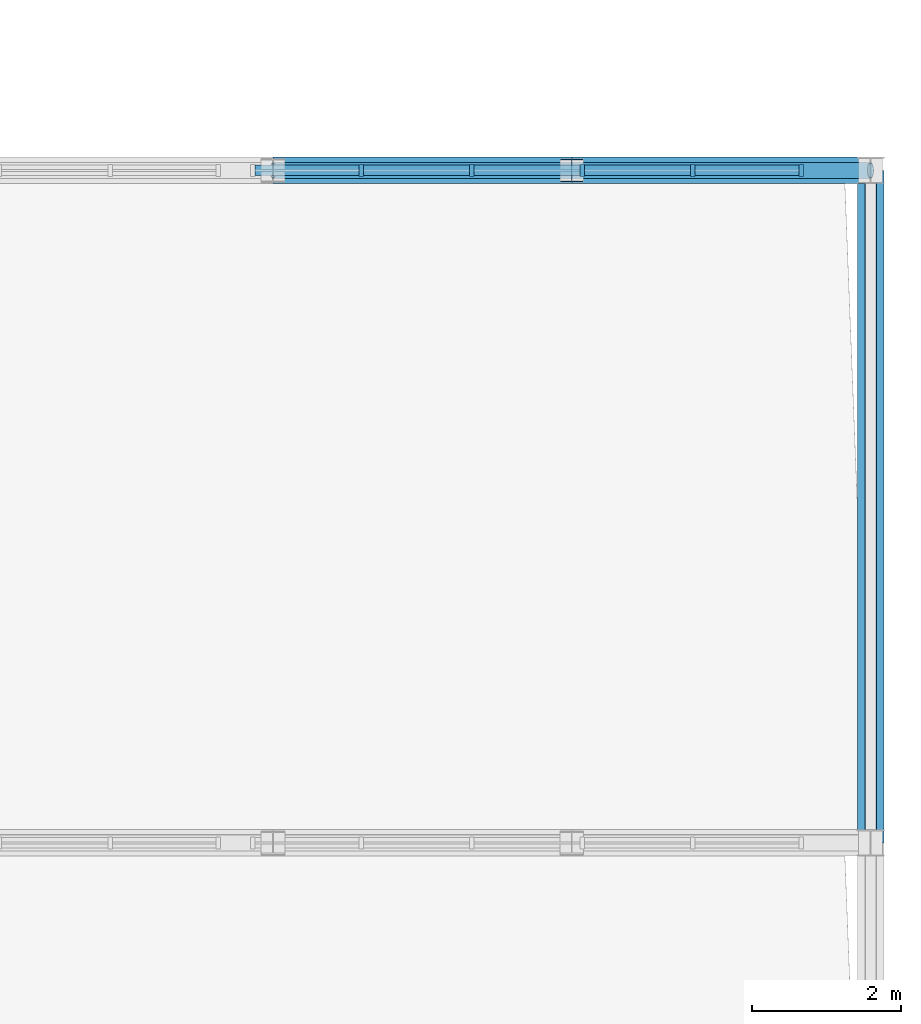
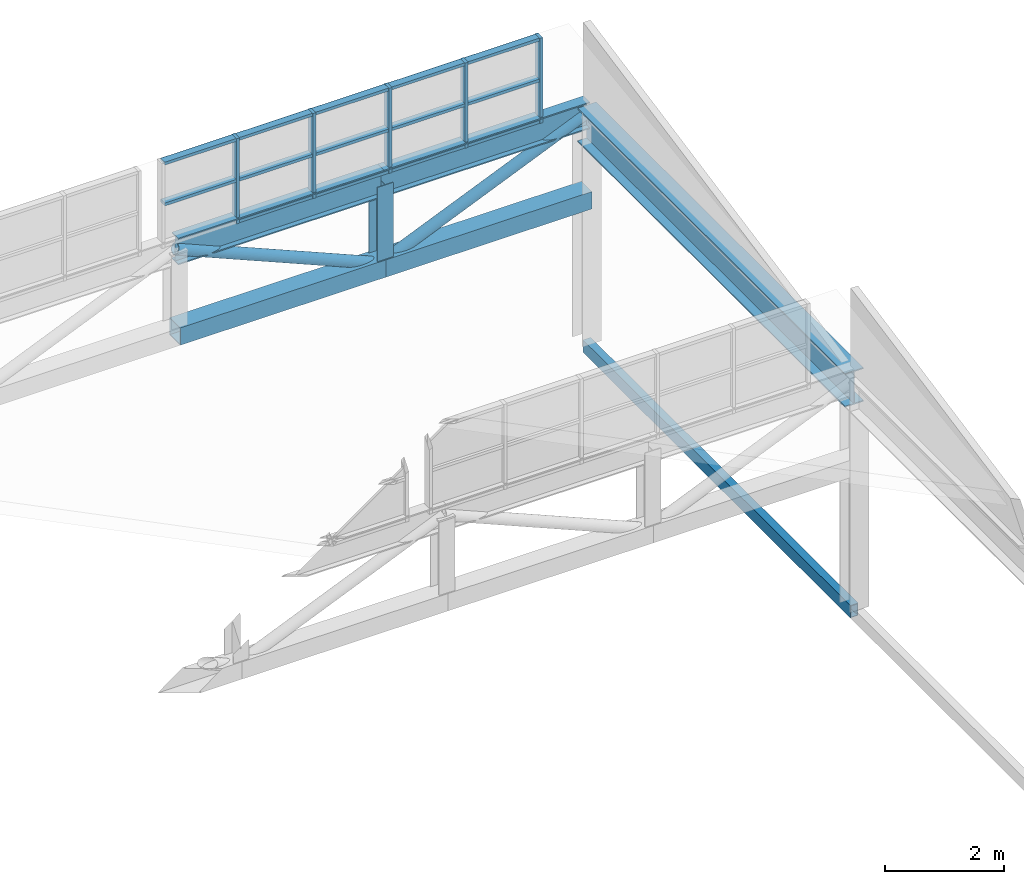
# One storey, part 93 of 159: 26 members, 2 beams, 1 element without a shape of its own.
"""IFC4 building model written with IfcOpenShell, lengths in metres."""

from ifc_helpers import new_model, si_unit, direction, frame, origin, origin_2d, place, context, subcontext, project, spatial, rectangle, hollow_rectangle, hollow_circle, i_section, extrude, material, layer, layer_set, material_profile, profile_set, type_object, element, aggregate, save


model = new_model("IFC4")

# Units and contexts
model_context = context("Model", 3, precision=1e-05, world=origin(), true_north=direction((0.0, 1.0)))
body_context = subcontext(model_context, "Body", "Model", "MODEL_VIEW")
ifc_project = project(units=[si_unit("LENGTHUNIT", "METRE"), si_unit("AREAUNIT", "SQUARE_METRE"), si_unit("VOLUMEUNIT", "CUBIC_METRE"), si_unit("PLANEANGLEUNIT", "RADIAN"), si_unit("MASSUNIT", "GRAM", prefix="KILO")], contexts=[model_context])

# Site, building, storey
site_placement = place(None, origin())
site = spatial("IfcSite", under=ifc_project, at=site_placement, CompositionType="ELEMENT")
building_placement = place(site_placement, origin())
building = spatial("IfcBuilding", under=site, at=building_placement, Name="Cazmaro Siding Exhibition Halls", CompositionType="ELEMENT")
storey_placement = place(building_placement, frame((0.0, 0.0, 6.0)))
storey = spatial("IfcBuildingStorey", under=building, at=storey_placement, Name="L01", CompositionType="ELEMENT", Elevation=6.0)

# Curtain wall, members
ifc_material_1 = material(Name="Anodized Bronze Aluminum and Solar-Control Low-E Glazing", Category="aluminium")
ifc_layer = layer(ifc_material_1, 0.159912109375)
ifc_layer_set = layer_set([ifc_layer], Name="Anodized Bronze Aluminum and Solar-Control Low-E Glazing")
curtain_wall_type = type_object("IfcCurtainWallType", Name="CWS-04", PredefinedType="USERDEFINED", material=ifc_layer_set)
curtain_wall_placement = place(storey_placement, origin())
curtain_wall = element("IfcCurtainWall", 1, at=curtain_wall_placement, inside=storey, type_object=curtain_wall_type, Name="Clerestory Curtain Wall CWS-04 CW-139", ObjectType="CLERESTORY CURTAIN WALL", PredefinedType="USERDEFINED")
ifc_material_2 = material(Name="Anodized Bronze Extruded Aluminum", Category="aluminium")
ifc_material_profile_1 = material_profile(ifc_material_2, rectangle(XDim=0.159912109375, YDim=0.06005859375, at=origin_2d()), Name="CWM-04")
ifc_profile_set_1 = profile_set([ifc_material_profile_1], Name="Anodized Bronze Extruded Aluminum")
member_type_1 = type_object("IfcMemberType", Name="CWM-04", PredefinedType="MULLION", material=ifc_profile_set_1)
member_1_placement = place(storey_placement, frame((215.070068359375, 118.0, 4.800048828125), z_axis=(0.0, 0.0, 1.0), x_axis=(0.0, -1.0, 0.0)))
member_1 = element("IfcMember", 2, at=member_1_placement, type_object=member_type_1, Name="CWS-04 mullion 1", PredefinedType="MULLION", context=body_context, shape_type="SweptSolid", body=[
    extrude(rectangle(XDim=0.159912109375, YDim=0.06005859375, at=origin_2d()), origin(), (0.0, 0.0, 1.0), 1.75),
])
member_2_placement = place(storey_placement, frame((213.6201171875, 118.0, 4.800048828125), z_axis=(0.0, 0.0, 1.0), x_axis=(0.0, -1.0, 0.0)))
member_2 = element("IfcMember", 3, at=member_2_placement, type_object=member_type_1, Name="CWS-04 mullion 2", PredefinedType="MULLION", context=body_context, shape_type="SweptSolid", body=[
    extrude(rectangle(XDim=0.159912109375, YDim=0.06005859375, at=origin_2d()), origin(), (0.0, 0.0, 1.0), 1.75),
])
member_3_placement = place(storey_placement, frame((212.139892578125, 118.0, 4.800048828125), z_axis=(0.0, 0.0, 1.0), x_axis=(0.0, -1.0, 0.0)))
member_3 = element("IfcMember", 4, at=member_3_placement, type_object=member_type_1, Name="CWS-04 mullion 3", PredefinedType="MULLION", context=body_context, shape_type="SweptSolid", body=[
    extrude(rectangle(XDim=0.159912109375, YDim=0.06005859375, at=origin_2d()), origin(), (0.0, 0.0, 1.0), 1.75),
])
member_4_placement = place(storey_placement, frame((210.659912109375, 118.0, 4.800048828125), z_axis=(0.0, 0.0, 1.0), x_axis=(0.0, -1.0, 0.0)))
member_4 = element("IfcMember", 5, at=member_4_placement, type_object=member_type_1, Name="CWS-04 mullion 4", PredefinedType="MULLION", context=body_context, shape_type="SweptSolid", body=[
    extrude(rectangle(XDim=0.159912109375, YDim=0.06005859375, at=origin_2d()), origin(), (0.0, 0.0, 1.0), 1.75),
])
member_5_placement = place(storey_placement, frame((209.179931640625, 118.0, 4.800048828125), z_axis=(0.0, 0.0, 1.0), x_axis=(0.0, -1.0, 0.0)))
member_5 = element("IfcMember", 6, at=member_5_placement, type_object=member_type_1, Name="CWS-04 mullion 5", PredefinedType="MULLION", context=body_context, shape_type="SweptSolid", body=[
    extrude(rectangle(XDim=0.159912109375, YDim=0.06005859375, at=origin_2d()), origin(), (0.0, 0.0, 1.0), 1.75),
])
ifc_material_3 = material(Name="Anodized Bronze Extruded Aluminum", Category="aluminium")
ifc_material_profile_2 = material_profile(ifc_material_3, rectangle(XDim=0.139892578125, YDim=0.06005859375, at=origin_2d()), Name="CWT-04")
ifc_profile_set_2 = profile_set([ifc_material_profile_2], Name="Anodized Bronze Extruded Aluminum")
member_type_2 = type_object("IfcMemberType", Name="CWT-04", PredefinedType="MULLION", material=ifc_profile_set_2)
member_6_placement = place(storey_placement, frame((215.0400390625, 118.0, 4.830078125), z_axis=(-1.0, 0.0, 0.0), x_axis=(0.0, -1.0, 0.0)))
member_6 = element("IfcMember", 7, at=member_6_placement, type_object=member_type_2, Name="CWS-04 transom 1.1", ObjectType="TRANSOM", PredefinedType="USERDEFINED", context=body_context, shape_type="SweptSolid", body=[
    extrude(rectangle(XDim=0.139892578125, YDim=0.06005859375, at=origin_2d()), origin(), (0.0, 0.0, 1.0), 1.39013671875),
])
member_7_placement = place(storey_placement, frame((215.0400390625, 118.0, 5.679931640625), z_axis=(-1.0, 0.0, 0.0), x_axis=(0.0, -1.0, 0.0)))
member_7 = element("IfcMember", 8, at=member_7_placement, type_object=member_type_2, Name="CWS-04 transom 1.2", ObjectType="TRANSOM", PredefinedType="USERDEFINED", context=body_context, shape_type="SweptSolid", body=[
    extrude(rectangle(XDim=0.139892578125, YDim=0.06005859375, at=origin_2d()), origin(), (0.0, 0.0, 1.0), 1.39013671875),
])
member_8_placement = place(storey_placement, frame((215.0400390625, 118.0, 6.52001953125), z_axis=(-1.0, 0.0, 0.0), x_axis=(0.0, -1.0, 0.0)))
member_8 = element("IfcMember", 9, at=member_8_placement, type_object=member_type_2, Name="CWS-04 transom 1.3", ObjectType="TRANSOM", PredefinedType="USERDEFINED", context=body_context, shape_type="SweptSolid", body=[
    extrude(rectangle(XDim=0.139892578125, YDim=0.06005859375, at=origin_2d()), origin(), (0.0, 0.0, 1.0), 1.39013671875),
])
member_9_placement = place(storey_placement, frame((213.590087890625, 118.0, 4.830078125), z_axis=(-1.0, 0.0, 0.0), x_axis=(0.0, -1.0, 0.0)))
member_9 = element("IfcMember", 10, at=member_9_placement, type_object=member_type_2, Name="CWS-04 transom 2.1", ObjectType="TRANSOM", PredefinedType="USERDEFINED", context=body_context, shape_type="SweptSolid", body=[
    extrude(rectangle(XDim=0.139892578125, YDim=0.06005859375, at=origin_2d()), origin(), (0.0, 0.0, 1.0), 1.420166015625),
])
member_10_placement = place(storey_placement, frame((213.590087890625, 118.0, 5.679931640625), z_axis=(-1.0, 0.0, 0.0), x_axis=(0.0, -1.0, 0.0)))
member_10 = element("IfcMember", 11, at=member_10_placement, type_object=member_type_2, Name="CWS-04 transom 2.2", ObjectType="TRANSOM", PredefinedType="USERDEFINED", context=body_context, shape_type="SweptSolid", body=[
    extrude(rectangle(XDim=0.139892578125, YDim=0.06005859375, at=origin_2d()), origin(), (0.0, 0.0, 1.0), 1.420166015625),
])
member_11_placement = place(storey_placement, frame((213.590087890625, 118.0, 6.52001953125), z_axis=(-1.0, 0.0, 0.0), x_axis=(0.0, -1.0, 0.0)))
member_11 = element("IfcMember", 12, at=member_11_placement, type_object=member_type_2, Name="CWS-04 transom 2.3", ObjectType="TRANSOM", PredefinedType="USERDEFINED", context=body_context, shape_type="SweptSolid", body=[
    extrude(rectangle(XDim=0.139892578125, YDim=0.06005859375, at=origin_2d()), origin(), (0.0, 0.0, 1.0), 1.420166015625),
])
member_12_placement = place(storey_placement, frame((212.110107421875, 118.0, 4.830078125), z_axis=(-1.0, 0.0, 0.0), x_axis=(0.0, -1.0, 0.0)))
member_12 = element("IfcMember", 13, at=member_12_placement, type_object=member_type_2, Name="CWS-04 transom 3.1", ObjectType="TRANSOM", PredefinedType="USERDEFINED", context=body_context, shape_type="SweptSolid", body=[
    extrude(rectangle(XDim=0.139892578125, YDim=0.06005859375, at=origin_2d()), origin(), (0.0, 0.0, 1.0), 1.420166015625),
])
member_13_placement = place(storey_placement, frame((212.110107421875, 118.0, 5.679931640625), z_axis=(-1.0, 0.0, 0.0), x_axis=(0.0, -1.0, 0.0)))
member_13 = element("IfcMember", 14, at=member_13_placement, type_object=member_type_2, Name="CWS-04 transom 3.2", ObjectType="TRANSOM", PredefinedType="USERDEFINED", context=body_context, shape_type="SweptSolid", body=[
    extrude(rectangle(XDim=0.139892578125, YDim=0.06005859375, at=origin_2d()), origin(), (0.0, 0.0, 1.0), 1.420166015625),
])
member_14_placement = place(storey_placement, frame((212.110107421875, 118.0, 6.52001953125), z_axis=(-1.0, 0.0, 0.0), x_axis=(0.0, -1.0, 0.0)))
member_14 = element("IfcMember", 15, at=member_14_placement, type_object=member_type_2, Name="CWS-04 transom 3.3", ObjectType="TRANSOM", PredefinedType="USERDEFINED", context=body_context, shape_type="SweptSolid", body=[
    extrude(rectangle(XDim=0.139892578125, YDim=0.06005859375, at=origin_2d()), origin(), (0.0, 0.0, 1.0), 1.420166015625),
])
member_15_placement = place(storey_placement, frame((210.6298828125, 118.0, 4.830078125), z_axis=(-1.0, 0.0, 0.0), x_axis=(0.0, -1.0, 0.0)))
member_15 = element("IfcMember", 16, at=member_15_placement, type_object=member_type_2, Name="CWS-04 transom 4.1", ObjectType="TRANSOM", PredefinedType="USERDEFINED", context=body_context, shape_type="SweptSolid", body=[
    extrude(rectangle(XDim=0.139892578125, YDim=0.06005859375, at=origin_2d()), origin(), (0.0, 0.0, 1.0), 1.419921875),
])
member_16_placement = place(storey_placement, frame((210.6298828125, 118.0, 5.679931640625), z_axis=(-1.0, 0.0, 0.0), x_axis=(0.0, -1.0, 0.0)))
member_16 = element("IfcMember", 17, at=member_16_placement, type_object=member_type_2, Name="CWS-04 transom 4.2", ObjectType="TRANSOM", PredefinedType="USERDEFINED", context=body_context, shape_type="SweptSolid", body=[
    extrude(rectangle(XDim=0.139892578125, YDim=0.06005859375, at=origin_2d()), origin(), (0.0, 0.0, 1.0), 1.419921875),
])
member_17_placement = place(storey_placement, frame((210.6298828125, 118.0, 6.52001953125), z_axis=(-1.0, 0.0, 0.0), x_axis=(0.0, -1.0, 0.0)))
member_17 = element("IfcMember", 18, at=member_17_placement, type_object=member_type_2, Name="CWS-04 transom 4.3", ObjectType="TRANSOM", PredefinedType="USERDEFINED", context=body_context, shape_type="SweptSolid", body=[
    extrude(rectangle(XDim=0.139892578125, YDim=0.06005859375, at=origin_2d()), origin(), (0.0, 0.0, 1.0), 1.419921875),
])
member_18_placement = place(storey_placement, frame((209.14990234375, 118.0, 5.679931640625), z_axis=(-1.0, 0.0, 0.0), x_axis=(0.0, -1.0, 0.0)))
member_18 = element("IfcMember", 19, at=member_18_placement, type_object=member_type_2, Name="CWS-04 transom 5.2", ObjectType="TRANSOM", PredefinedType="USERDEFINED", context=body_context, shape_type="SweptSolid", body=[
    extrude(rectangle(XDim=0.139892578125, YDim=0.06005859375, at=origin_2d()), origin(), (0.0, 0.0, 1.0), 1.389892578125),
])
member_19_placement = place(storey_placement, frame((209.14990234375, 118.0, 6.52001953125), z_axis=(-1.0, 0.0, 0.0), x_axis=(0.0, -1.0, 0.0)))
member_19 = element("IfcMember", 20, at=member_19_placement, type_object=member_type_2, Name="CWS-04 transom 5.3", ObjectType="TRANSOM", PredefinedType="USERDEFINED", context=body_context, shape_type="SweptSolid", body=[
    extrude(rectangle(XDim=0.139892578125, YDim=0.06005859375, at=origin_2d()), origin(), (0.0, 0.0, 1.0), 1.389892578125),
])
aggregate(curtain_wall, [member_1, member_2, member_3, member_4, member_5, member_6, member_7, member_8, member_9, member_10, member_11, member_12, member_13, member_14, member_15, member_16, member_17, member_18, member_19])

# Beams
ifc_material_4 = material(Name="Steel ASTM A992 Grade 50", Category="steel")
ifc_material_profile_3 = material_profile(ifc_material_4, i_section(OverallWidth=0.35595703125, OverallDepth=0.696044921875, WebThickness=0.014892578125, FlangeThickness=0.02490234375, at=origin_2d()), Name="W27X146")
ifc_profile_set_3 = profile_set([ifc_material_profile_3], Name="Steel ASTM A992 Grade 50")
beam_type_1 = type_object("IfcBeamType", Name="G-05", PredefinedType="USERDEFINED", material=ifc_profile_set_3)
beam_1_placement = place(storey_placement, frame((216.0, 109.0, 4.451904296875), z_axis=(0.0, 1.0, 0.0), x_axis=(-1.0, 0.0, 0.0)))
element("IfcBeam", 21, at=beam_1_placement, inside=storey, type_object=beam_type_1, Name="Beam G-05 BM-1566", ObjectType="GIRDER", PredefinedType="USERDEFINED", context=body_context, shape_type="SweptSolid", body=[
    extrude(i_section(OverallWidth=0.35595703125, OverallDepth=0.696044921875, WebThickness=0.014892578125, FlangeThickness=0.02490234375, at=origin_2d()), origin(), (0.0, 0.0, 1.0), 9.0),
])
ifc_material_5 = material(Name="Steel ASTM A500 Grade C", Category="steel")
ifc_material_profile_4 = material_profile(ifc_material_5, hollow_rectangle(XDim=0.152099609375, YDim=0.25390625, WallThickness=0.011962890625, at=origin_2d()), Name="HSS10X6X1/2")
ifc_profile_set_4 = profile_set([ifc_material_profile_4], Name="Steel ASTM A500 Grade C")
beam_type_2 = type_object("IfcBeamType", Name="SP-02", PredefinedType="SPANDREL", material=ifc_profile_set_4)
beam_2_placement = place(storey_placement, frame((216.0, 109.0, -0.126953125), z_axis=(0.0, 1.0, 0.0), x_axis=(-1.0, 0.0, 0.0)))
element("IfcBeam", 22, at=beam_2_placement, inside=storey, type_object=beam_type_2, Name="Beam SP-02 BM-1565", PredefinedType="SPANDREL", context=body_context, shape_type="SweptSolid", body=[
    extrude(hollow_rectangle(XDim=0.152099609375, YDim=0.25390625, WallThickness=0.011962890625, at=origin_2d()), origin(), (0.0, 0.0, 1.0), 9.0),
])

# Members
ifc_material_6 = material(Name="Steel ASTM A992 Grade 50", Category="steel")
ifc_material_profile_5 = material_profile(ifc_material_6, i_section(OverallWidth=0.214111328125, OverallDepth=0.549072265625, WebThickness=0.014892578125, FlangeThickness=0.02392578125, at=origin_2d()), Name="W21X93")
ifc_profile_set_5 = profile_set([ifc_material_profile_5], Name="Steel ASTM A992 Grade 50")
member_type_3 = type_object("IfcMemberType", Name="TC-04", PredefinedType="CHORD", material=ifc_profile_set_5)
for number, where, z_axis, x_axis, name in (
    (23, (208.0, 118.0, 4.64990234375), (1.0, 0.0, 0.0), (0.0, 1.0, 0.0), "Sawtooth truss top chord TC-04 MEM-3229"),
    (24, (212.0, 118.0, 4.64990234375), (1.0, 0.0, 0.0), (0.0, 1.0, 0.0), "Sawtooth truss top chord TC-04 MEM-3232"),
):
    element("IfcMember", number, at=place(storey_placement, frame(where, z_axis=z_axis, x_axis=x_axis)), inside=storey, type_object=member_type_3, Name=name, PredefinedType="CHORD", context=body_context, shape_type="SweptSolid", body=[
        extrude(i_section(OverallWidth=0.214111328125, OverallDepth=0.549072265625, WebThickness=0.014892578125, FlangeThickness=0.02392578125, at=origin_2d()), origin(), (0.0, 0.0, 1.0), 4.0),
    ])
ifc_material_7 = material(Name="Steel ASTM A500 Grade C", Category="steel")
ifc_material_profile_6 = material_profile(ifc_material_7, hollow_rectangle(XDim=0.35595703125, YDim=0.35595703125, WallThickness=0.014892578125, at=origin_2d()), Name="HSS14X14X5/8")
ifc_profile_set_6 = profile_set([ifc_material_profile_6], Name="Steel ASTM A500 Grade C")
member_type_4 = type_object("IfcMemberType", Name="TC-05", PredefinedType="CHORD", material=ifc_profile_set_6)
for number, where, z_axis, x_axis, name in (
    (25, (208.0, 118.0, 2.949951171875), (1.0, 0.0, 0.0), (0.0, 1.0, 0.0), "Sawtooth truss bottom chord TC-05 MEM-3230"),
    (26, (212.0, 118.0, 2.949951171875), (1.0, 0.0, 0.0), (0.0, 1.0, 0.0), "Sawtooth truss bottom chord TC-05 MEM-3233"),
):
    element("IfcMember", number, at=place(storey_placement, frame(where, z_axis=z_axis, x_axis=x_axis)), inside=storey, type_object=member_type_4, Name=name, PredefinedType="CHORD", context=body_context, shape_type="SweptSolid", body=[
        extrude(hollow_rectangle(XDim=0.35595703125, YDim=0.35595703125, WallThickness=0.014892578125, at=origin_2d()), origin(), (0.0, 0.0, 1.0), 4.0),
    ])
ifc_material_8 = material(Name="Steel ASTM A992 Grade 50", Category="steel")
ifc_material_profile_7 = material_profile(ifc_material_8, i_section(OverallWidth=0.304931640625, OverallDepth=0.306884765625, WebThickness=0.010009765625, FlangeThickness=0.014892578125, at=origin_2d()), Name="W12X65")
ifc_profile_set_7 = profile_set([ifc_material_profile_7], Name="Steel ASTM A992 Grade 50")
member_type_5 = type_object("IfcMemberType", Name="TP-03", PredefinedType="POST", material=ifc_profile_set_7)
member_20_placement = place(storey_placement, frame((212.0, 118.0, 2.949951171875), z_axis=(0.0, 0.0, 1.0), x_axis=(1.0, 0.0, 0.0)))
element("IfcMember", 27, at=member_20_placement, inside=storey, type_object=member_type_5, Name="Sawtooth truss post TP-03 MEM-3243", PredefinedType="POST", context=body_context, shape_type="SweptSolid", body=[
    extrude(i_section(OverallWidth=0.304931640625, OverallDepth=0.306884765625, WebThickness=0.010009765625, FlangeThickness=0.014892578125, at=origin_2d()), origin(), (0.0, 0.0, 1.0), 1.699951171875),
])
ifc_material_9 = material(Name="Steel ASTM A500 Grade C", Category="steel")
ifc_material_profile_8 = material_profile(ifc_material_9, hollow_circle(Radius=0.109619140625, WallThickness=0.012939453125, at=origin_2d()), Name="PIPE8XS")
ifc_profile_set_8 = profile_set([ifc_material_profile_8], Name="Steel ASTM A500 Grade C")
member_type_6 = type_object("IfcMemberType", Name="WB-01", PredefinedType="BRACE", material=ifc_profile_set_8)
for number, where, z_axis, x_axis, name in (
    (28, (208.0, 118.0, 4.64990234375), (0.920334962612, 0.0, -0.391131124553), (0.0, 1.0, 0.0), "Sawtooth truss diagonal WB-01 MEM-3231"),
    (29, (212.0, 118.0, 2.949951171875), (0.920334962612, 0.0, 0.391131124553), (0.0, 1.0, 0.0), "Sawtooth truss diagonal WB-01 MEM-3234"),
):
    element("IfcMember", number, at=place(storey_placement, frame(where, z_axis=z_axis, x_axis=x_axis)), inside=storey, type_object=member_type_6, Name=name, PredefinedType="BRACE", context=body_context, shape_type="SweptSolid", body=[
        extrude(hollow_circle(Radius=0.109619140625, WallThickness=0.012939453125, at=origin_2d()), origin(), (0.0, 0.0, 1.0), 4.34619140625),
    ])

save(model, "model.ifc")
